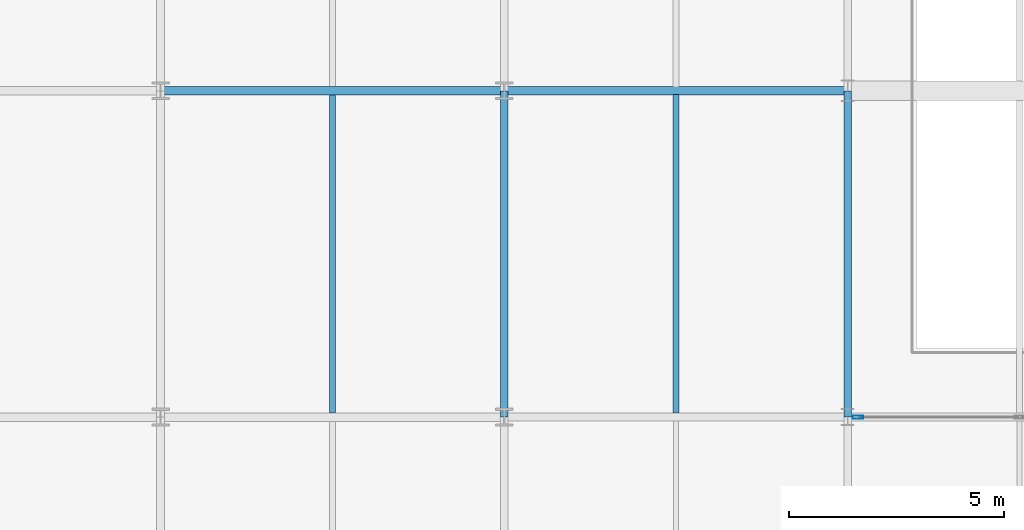
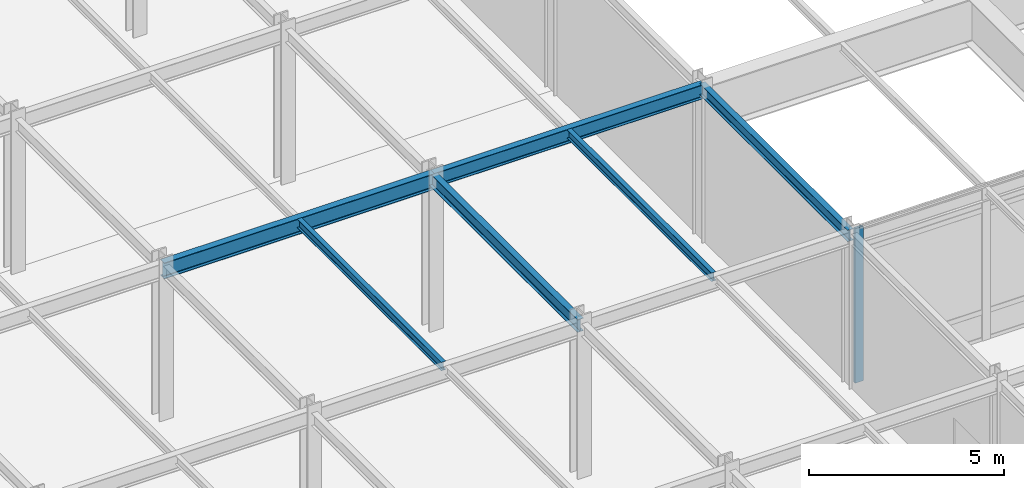
# One storey, part 25 of 79: 6 beams, 1 member, 1 element without a shape of its own.
"""IFC4 building model written with IfcOpenShell, lengths in metres."""

from ifc_helpers import new_model, si_unit, direction, frame, origin, origin_2d, place, context, subcontext, project, spatial, hollow_rectangle, i_section, extrude, material, layer, layer_set, material_profile, profile_set, type_object, element, aggregate, save


model = new_model("IFC4")

# Units and contexts
model_context = context("Model", 3, precision=1e-05, world=origin(), true_north=direction((0.0, 1.0)))
body_context = subcontext(model_context, "Body", "Model", "MODEL_VIEW")
ifc_project = project(units=[si_unit("LENGTHUNIT", "METRE"), si_unit("AREAUNIT", "SQUARE_METRE"), si_unit("VOLUMEUNIT", "CUBIC_METRE"), si_unit("PLANEANGLEUNIT", "RADIAN"), si_unit("MASSUNIT", "GRAM", prefix="KILO")], contexts=[model_context])

# Site, building, storey
site_placement = place(None, origin())
site = spatial("IfcSite", under=ifc_project, at=site_placement, CompositionType="ELEMENT")
building_placement = place(site_placement, origin())
building = spatial("IfcBuilding", under=site, at=building_placement, Name="Shalkamar Park Central Library", CompositionType="ELEMENT")
storey_placement = place(building_placement, frame((0.0, 0.0, 10.5)))
storey = spatial("IfcBuildingStorey", under=building, at=storey_placement, Name="L03", CompositionType="ELEMENT", Elevation=10.5)

# Beams
ifc_material_1 = material(Name="Steel S355", Category="steel")
ifc_material_profile_1 = material_profile(ifc_material_1, i_section(OverallWidth=0.135009765625, OverallDepth=0.27001953125, WebThickness=0.006591796875, FlangeThickness=0.01025390625, FilletRadius=0.014892578125, at=origin_2d()), Name="IPE 270")
ifc_profile_set_1 = profile_set([ifc_material_profile_1], Name="Steel S355")
beam_type_1 = type_object("IfcBeamType", Name="Composite Floor Joist IPE270", PredefinedType="JOIST", material=ifc_profile_set_1)
beam_1_placement = place(storey_placement, frame((217.0, 270.498046875, 4.705078125), z_axis=(0.0, 1.0, 0.0), x_axis=(-1.0, 0.0, 0.0)))
element("IfcBeam", 1, at=beam_1_placement, inside=storey, type_object=beam_type_1, Name="Composite Joist 13/E-1 (L03)", PredefinedType="JOIST", context=body_context, shape_type="SweptSolid", body=[
    extrude(i_section(OverallWidth=0.135009765625, OverallDepth=0.27001953125, WebThickness=0.006591796875, FlangeThickness=0.01025390625, FilletRadius=0.014892578125, at=origin_2d()), origin(), (0.0, 0.0, 1.0), 7.404052734375),
])
beam_2_placement = place(storey_placement, frame((225.0, 270.492919921875, 4.705078125), z_axis=(0.0, 1.0, 0.0), x_axis=(-1.0, 0.0, 0.0)))
element("IfcBeam", 2, at=beam_2_placement, inside=storey, type_object=beam_type_1, Name="Composite Joist 14/E-1 (L03)", PredefinedType="JOIST", context=body_context, shape_type="SweptSolid", body=[
    extrude(i_section(OverallWidth=0.135009765625, OverallDepth=0.27001953125, WebThickness=0.006591796875, FlangeThickness=0.01025390625, FilletRadius=0.014892578125, at=origin_2d()), origin(), (0.0, 0.0, 1.0), 7.4140625),
])

# Curtain wall, member
ifc_material_2 = material(Name="Thermally broken aluminium and triple low-e curtain wall", Category="aluminium")
ifc_layer = layer(ifc_material_2, 0.25)
ifc_layer_set = layer_set([ifc_layer], Name="AtriumGlazedScreen_120")
curtain_wall_type = type_object("IfcCurtainWallType", Name="Atrium Glazed Screen 120", PredefinedType="USERDEFINED", material=ifc_layer_set)
curtain_wall_placement = place(storey_placement, origin())
curtain_wall = element("IfcCurtainWall", 3, at=curtain_wall_placement, inside=storey, type_object=curtain_wall_type, Name="Atrium Glazed Screen CW-L03-177", ObjectType="ATRIUM GLAZED SCREEN", PredefinedType="USERDEFINED")
ifc_material_3 = material(Name="Aluminium 6060-T66", Category="aluminium")
ifc_material_profile_2 = material_profile(ifc_material_3, hollow_rectangle(XDim=0.074951171875, YDim=0.25, WallThickness=0.00390625, InnerFilletRadius=0.00390625, OuterFilletRadius=0.006103515625, at=origin_2d()), Name="ALU 75x250x4")
ifc_profile_set_2 = profile_set([ifc_material_profile_2], Name="Aluminium 6060-T66")
member_type = type_object("IfcMemberType", Name="Curtain Wall Mullion ALU75x250", PredefinedType="MULLION", material=ifc_profile_set_2)
member_placement = place(storey_placement, frame((229.241455078125, 270.39990234375, 0.0), z_axis=(0.0, 0.0, 1.0), x_axis=(0.0, 1.0, 0.0)))
member = element("IfcMember", 4, at=member_placement, type_object=member_type, Name="CW-120 mullion 1", PredefinedType="MULLION", context=body_context, shape_type="SweptSolid", body=[
    extrude(hollow_rectangle(XDim=0.074951171875, YDim=0.25, WallThickness=0.00390625, InnerFilletRadius=0.00390625, OuterFilletRadius=0.006103515625, at=origin_2d()), origin(), (0.0, 0.0, 1.0), 4.840087890625),
])
aggregate(curtain_wall, [member])

# Beams
ifc_material_profile_3 = material_profile(ifc_material_1, i_section(OverallWidth=0.169921875, OverallDepth=0.360107421875, WebThickness=0.008056640625, FlangeThickness=0.0126953125, FilletRadius=0.01806640625, at=origin_2d()), Name="IPE 360")
ifc_profile_set_3 = profile_set([ifc_material_profile_3], Name="Steel S355")
beam_type_2 = type_object("IfcBeamType", Name="Primary Girder IPE360", PredefinedType="BEAM", material=ifc_profile_set_3)
beam_3_placement = place(storey_placement, frame((229.0, 270.39990234375, 4.659912109375), z_axis=(0.0, 1.0, 0.0), x_axis=(-1.0, 0.0, 0.0)))
element("IfcBeam", 5, at=beam_3_placement, inside=storey, type_object=beam_type_2, Name="Beam 15:E-F (L03)", PredefinedType="BEAM", context=body_context, shape_type="SweptSolid", body=[
    extrude(i_section(OverallWidth=0.169921875, OverallDepth=0.360107421875, WebThickness=0.008056640625, FlangeThickness=0.0126953125, FilletRadius=0.01806640625, at=origin_2d()), origin(), (0.0, 0.0, 1.0), 7.60009765625),
])
ifc_material_profile_4 = material_profile(ifc_material_1, i_section(OverallWidth=0.179931640625, OverallDepth=0.39990234375, WebThickness=0.008544921875, FlangeThickness=0.013427734375, FilletRadius=0.02099609375, at=origin_2d()), Name="IPE 400")
ifc_profile_set_4 = profile_set([ifc_material_profile_4], Name="Steel S355")
beam_type_3 = type_object("IfcBeamType", Name="Primary Girder IPE400", PredefinedType="BEAM", material=ifc_profile_set_4)
beam_4_placement = place(storey_placement, frame((221.0, 270.39990234375, 4.639892578125), z_axis=(0.0, 1.0, 0.0), x_axis=(-1.0, 0.0, 0.0)))
element("IfcBeam", 6, at=beam_4_placement, inside=storey, type_object=beam_type_3, Name="Beam 14:E-F (L03)", PredefinedType="BEAM", context=body_context, shape_type="SweptSolid", body=[
    extrude(i_section(OverallWidth=0.179931640625, OverallDepth=0.39990234375, WebThickness=0.008544921875, FlangeThickness=0.013427734375, FilletRadius=0.02099609375, at=origin_2d()), origin(), (0.0, 0.0, 1.0), 7.60009765625),
])
ifc_material_profile_5 = material_profile(ifc_material_1, i_section(OverallWidth=0.18994140625, OverallDepth=0.449951171875, WebThickness=0.009521484375, FlangeThickness=0.0146484375, FilletRadius=0.02099609375, at=origin_2d()), Name="IPE 450")
ifc_profile_set_5 = profile_set([ifc_material_profile_5], Name="Steel S355")
beam_type_4 = type_object("IfcBeamType", Name="Primary Girder IPE450", PredefinedType="BEAM", material=ifc_profile_set_5)
beam_5_placement = place(storey_placement, frame((221.0, 278.0, 4.614990234375), z_axis=(1.0, 0.0, 0.0), x_axis=(0.0, 1.0, 0.0)))
element("IfcBeam", 7, at=beam_5_placement, inside=storey, type_object=beam_type_4, Name="Beam F:14-15 (L03)", PredefinedType="BEAM", context=body_context, shape_type="SweptSolid", body=[
    extrude(i_section(OverallWidth=0.18994140625, OverallDepth=0.449951171875, WebThickness=0.009521484375, FlangeThickness=0.0146484375, FilletRadius=0.02099609375, at=origin_2d()), origin(), (0.0, 0.0, 1.0), 8.0),
])
ifc_material_profile_6 = material_profile(ifc_material_1, i_section(OverallWidth=0.199951171875, OverallDepth=0.5, WebThickness=0.01025390625, FlangeThickness=0.01611328125, FilletRadius=0.02099609375, at=origin_2d()), Name="IPE 500")
ifc_profile_set_6 = profile_set([ifc_material_profile_6], Name="Steel S355")
beam_type_5 = type_object("IfcBeamType", Name="Primary Girder IPE500", PredefinedType="BEAM", material=ifc_profile_set_6)
beam_6_placement = place(storey_placement, frame((213.0, 278.0, 4.590087890625), z_axis=(1.0, 0.0, 0.0), x_axis=(0.0, 1.0, 0.0)))
element("IfcBeam", 8, at=beam_6_placement, inside=storey, type_object=beam_type_5, Name="Beam F:13-14 (L03)", PredefinedType="BEAM", context=body_context, shape_type="SweptSolid", body=[
    extrude(i_section(OverallWidth=0.199951171875, OverallDepth=0.5, WebThickness=0.01025390625, FlangeThickness=0.01611328125, FilletRadius=0.02099609375, at=origin_2d()), origin(), (0.0, 0.0, 1.0), 8.0),
])

save(model, "model.ifc")
